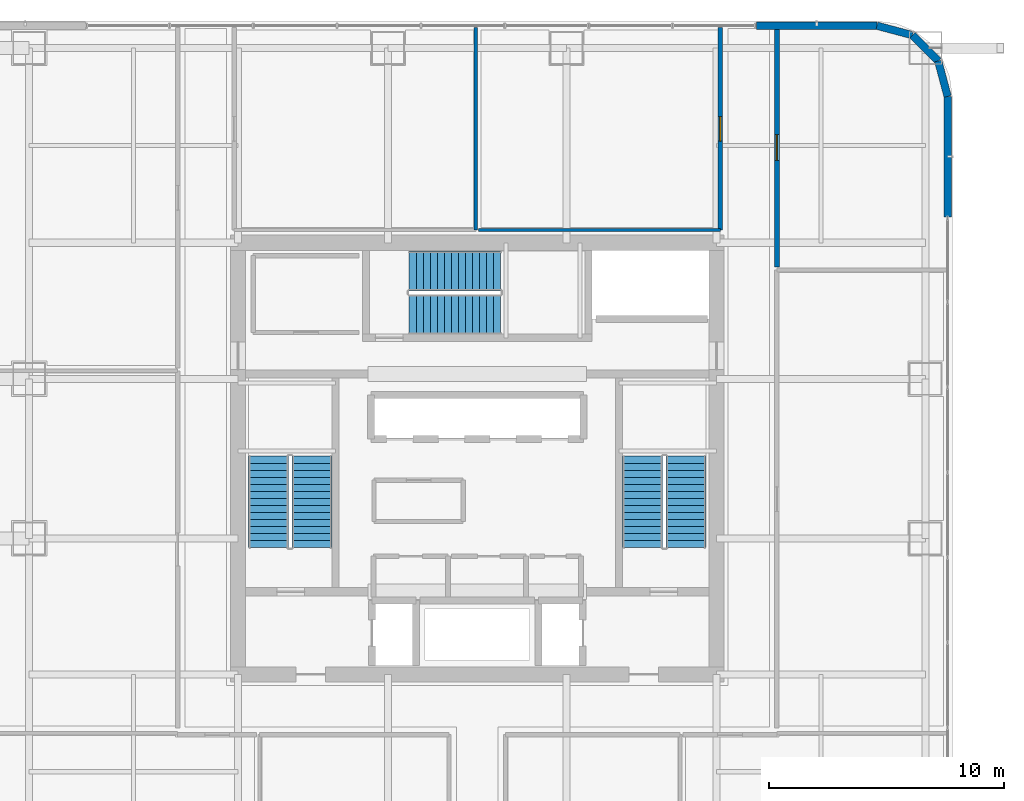
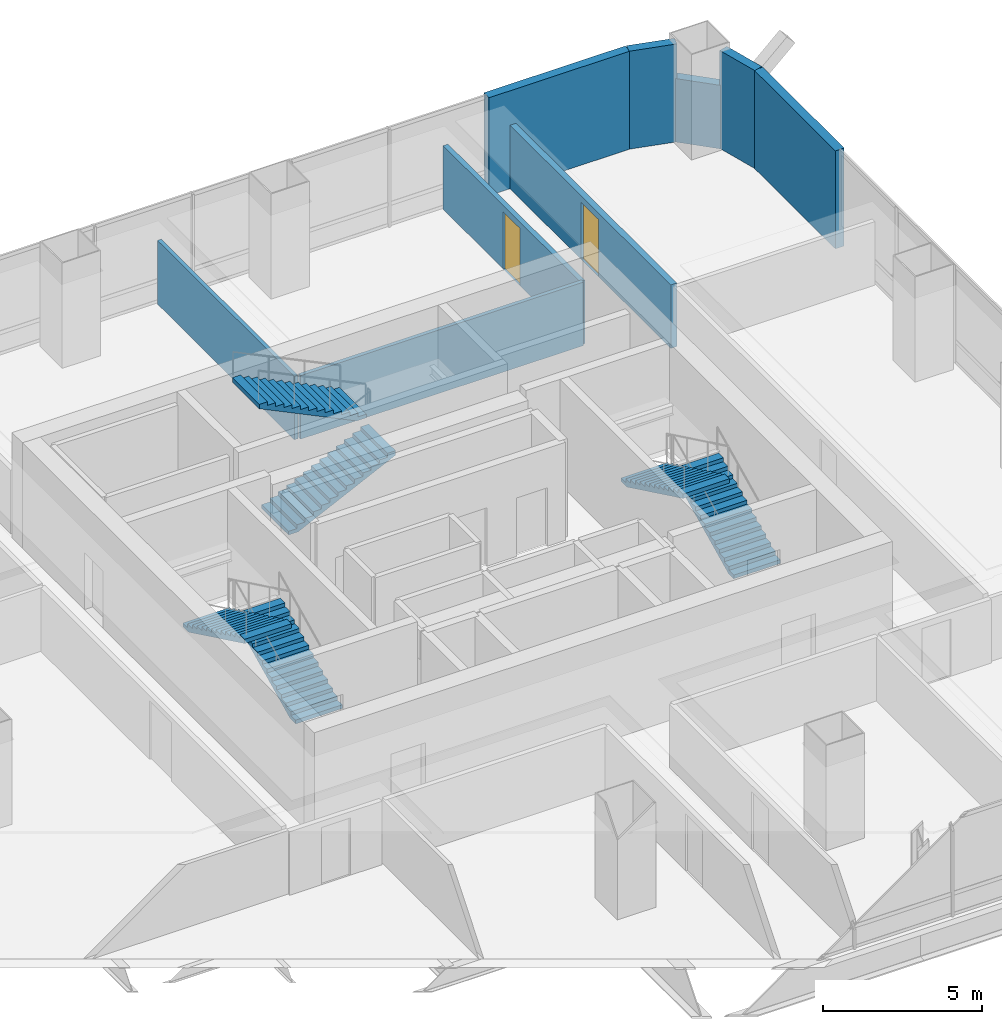
# One storey, part 34 of 46: 9 walls, 6 stair flights, 2 doors, 2 openings, 3 elements without a shape of their own.
"""IFC4 building model written with IfcOpenShell, lengths in metres."""

from ifc_helpers import new_model, si_unit, direction, frame, frame_2d, origin, place, context, subcontext, project, spatial, polyline, rectangle, outline, extrude, material, layer, layer_set, type_object, element, fill, aggregate, save


model = new_model("IFC4")

# Units and contexts
model_context = context("Model", 3, precision=1e-05, world=origin(), true_north=direction((0.0, 1.0)))
body_context = subcontext(model_context, "Body", "Model", "MODEL_VIEW")
ifc_project = project(units=[si_unit("LENGTHUNIT", "METRE"), si_unit("AREAUNIT", "SQUARE_METRE"), si_unit("VOLUMEUNIT", "CUBIC_METRE"), si_unit("PLANEANGLEUNIT", "RADIAN"), si_unit("MASSUNIT", "GRAM", prefix="KILO")], contexts=[model_context])

# Site, building, storey
site_placement = place(None, origin())
site = spatial("IfcSite", under=ifc_project, at=site_placement, CompositionType="ELEMENT")
building_placement = place(site_placement, origin())
building = spatial("IfcBuilding", under=site, at=building_placement, Name="Punatoya Terracotta Tower", CompositionType="ELEMENT")
storey_placement = place(building_placement, frame((0.0, 0.0, 200.550048828125)))
storey = spatial("IfcBuildingStorey", under=building, at=storey_placement, Name="L47", CompositionType="ELEMENT", Elevation=200.550048828125)

# Wall, opening, door
ifc_material_1 = material(Name="Gypsum Fireboard + Steel Stud", Category="steel")
ifc_layer_1 = layer(ifc_material_1, 0.179931640625)
ifc_layer_set_1 = layer_set([ifc_layer_1], Name="Gypsum Fireboard + Steel Stud")
wall_type_1 = type_object("IfcWallType", Name="WL-CORR-180", PredefinedType="PARTITIONING", material=ifc_layer_set_1)
wall_1_placement = place(storey_placement, frame((10.360107421875, 18.3701171875, 0.0), z_axis=(0.0, 0.0, 1.0), x_axis=(0.0, -1.0, 0.0)))
wall_1 = element("IfcWall", 1, at=wall_1_placement, inside=storey, type_object=wall_type_1, Name="L47 Open-Plan Urban Analytics Laboratory Partition 35", PredefinedType="PARTITIONING", context=body_context, shape_type="SweptSolid", body=[
    extrude(rectangle(XDim=8.630126953125, YDim=0.179931640625, at=frame_2d((4.31494140625, 0.0))), origin(), (0.0, 0.0, 1.0), 2.44384765625),
])
opening_1_placement = place(wall_1_placement, frame((3.7900390625, 0.0, 0.0)))
opening_1 = element("IfcOpeningElement", 2, at=opening_1_placement, cuts=wall_1, Name="Opening OD-01", PredefinedType="OPENING", context=body_context, shape_type="SweptSolid", body=[
    extrude(rectangle(XDim=1.050048828125, YDim=2.199951171875, at=frame_2d((0.52490234375, 1.10009765625))), frame((0.0, 0.099853515625, 0.0), z_axis=(0.0, -1.0, 0.0), x_axis=(1.0, 0.0, 0.0)), (0.0, 0.0, 1.0), 0.199951171875),
])
ifc_material_2 = material(Name="Bengal Teak Solid-Core Leaf")
door_type_1 = type_object("IfcDoorType", Name="DR-OFF-1050", OperationType="NOTDEFINED", PredefinedType="DOOR", material=ifc_material_2)
door_1_placement = place(opening_1_placement, origin())
door_1 = element("IfcDoor", 3, at=door_1_placement, inside=storey, type_object=door_type_1, Name="L47 Open-Plan Urban Analytics Laboratory Door", OperationType="SINGLE_SWING_LEFT", OverallHeight=2.199951171875, OverallWidth=1.050048828125, PredefinedType="DOOR", context=body_context, shape_type="SweptSolid", body=[
    extrude(rectangle(XDim=1.050048828125, YDim=2.199951171875, at=frame_2d((0.52490234375, 1.10009765625))), frame((0.0, 0.02490234375, 0.0), z_axis=(0.0, -1.0, 0.0), x_axis=(1.0, 0.0, 0.0)), (0.0, 0.0, 1.0), 0.050048828125),
])
fill(opening_1, door_1)

# Walls
ifc_material_3 = material(Name="Precast concrete C40/50", Category="concrete")
ifc_layer_2 = layer(ifc_material_3, 0.320068359375)
ifc_layer_set_2 = layer_set([ifc_layer_2], Name="Precast concrete C40/50")
wall_type_2 = type_object("IfcWallType", Name="WL-EXT-320", PredefinedType="SOLIDWALL", material=ifc_layer_set_2)
wall_2_placement = place(storey_placement, frame((20.050048828125, 10.300048828125, 0.0), z_axis=(0.0, 0.0, 1.0), x_axis=(0.0, 1.0, 0.0)))
element("IfcWall", 4, at=wall_2_placement, inside=storey, type_object=wall_type_2, Name="L47 Terracotta Braced Facade Wall E2", PredefinedType="SOLIDWALL", context=body_context, shape_type="SweptSolid", body=[
    extrude(rectangle(XDim=5.136962890625, YDim=0.320068359375, at=frame_2d((2.568359375, 0.0))), origin(), (0.0, 0.0, 1.0), 3.77001953125),
])
wall_3_placement = place(storey_placement, frame((20.050048828125, 15.43701171875, 0.0), z_axis=(0.0, 0.0, 1.0), x_axis=(-0.257847112249, 0.966185730957, 0.0)))
element("IfcWall", 5, at=wall_3_placement, inside=storey, type_object=wall_type_2, Name="L47 Rounded Terracotta Corner Pier 06", PredefinedType="SOLIDWALL", context=body_context, shape_type="SweptSolid", body=[
    extrude(rectangle(XDim=1.565185546875, YDim=0.320068359375, at=frame_2d((0.78271484375, 0.0))), origin(), (0.0, 0.0, 1.0), 3.77001953125),
])
wall_4_placement = place(storey_placement, frame((19.646484375, 16.94921875, 0.0), z_axis=(0.0, 0.0, 1.0), x_axis=(-0.707106781187, 0.707106781187, 0.0)))
element("IfcWall", 6, at=wall_4_placement, inside=storey, type_object=wall_type_2, Name="L47 Rounded Terracotta Corner Pier 07", PredefinedType="SOLIDWALL", context=body_context, shape_type="SweptSolid", body=[
    extrude(rectangle(XDim=1.552001953125, YDim=0.320068359375, at=frame_2d((0.77587890625, 0.0))), origin(), (0.0, 0.0, 1.0), 2.44384765625),
])
wall_5_placement = place(storey_placement, frame((18.549072265625, 18.046630859375, 0.0), z_axis=(0.0, 0.0, 1.0), x_axis=(-0.966224582397, 0.257701486942, 0.0)))
element("IfcWall", 7, at=wall_5_placement, inside=storey, type_object=wall_type_2, Name="L47 Rounded Terracotta Corner Pier 08", PredefinedType="SOLIDWALL", context=body_context, shape_type="SweptSolid", body=[
    extrude(rectangle(XDim=1.565185546875, YDim=0.320068359375, at=frame_2d((0.78271484375, 0.0))), origin(), (0.0, 0.0, 1.0), 3.77001953125),
])
wall_6_placement = place(storey_placement, frame((17.036865234375, 18.449951171875, 0.0), z_axis=(0.0, 0.0, 1.0), x_axis=(-1.0, 0.0, 0.0)))
element("IfcWall", 8, at=wall_6_placement, inside=storey, type_object=wall_type_2, Name="L47 Terracotta Braced Facade Wall N1", PredefinedType="SOLIDWALL", context=body_context, shape_type="SweptSolid", body=[
    extrude(rectangle(XDim=5.136962890625, YDim=0.320068359375, at=frame_2d((2.568359375, 0.0))), origin(), (0.0, 0.0, 1.0), 3.77001953125),
])

# Wall, opening, door
ifc_material_4 = material(Name="Concrete C40/50", Category="concrete")
ifc_layer_3 = layer(ifc_material_4, 0.219970703125)
ifc_layer_set_3 = layer_set([ifc_layer_3], Name="Concrete C40/50")
wall_type_3 = type_object("IfcWallType", Name="WL-FIR-220", PredefinedType="SOLIDWALL", material=ifc_layer_set_3)
wall_7_placement = place(storey_placement, frame((12.77001953125, 8.157958984375, 0.0), z_axis=(0.0, 0.0, 1.0), x_axis=(0.0, 1.0, 0.0)))
wall_7 = element("IfcWall", 9, at=wall_7_placement, inside=storey, type_object=wall_type_3, Name="L47 Open-Plan Geospatial Data Archive Partition 30", PredefinedType="SOLIDWALL", context=body_context, shape_type="SweptSolid", body=[
    extrude(rectangle(XDim=10.212158203125, YDim=0.219970703125, at=frame_2d((5.10595703125, 0.0))), origin(), (0.0, 0.0, 1.0), 2.44384765625),
])
opening_2_placement = place(wall_7_placement, frame((4.555908203125, 0.0, 0.0)))
opening_2 = element("IfcOpeningElement", 10, at=opening_2_placement, cuts=wall_7, Name="Opening FD-P1", PredefinedType="OPENING", context=body_context, shape_type="SweptSolid", body=[
    extrude(rectangle(XDim=1.10009765625, YDim=2.199951171875, at=frame_2d((0.550048828125, 1.10009765625))), frame((0.0, 0.119873046875, 0.0), z_axis=(0.0, -1.0, 0.0), x_axis=(1.0, 0.0, 0.0)), (0.0, 0.0, 1.0), 0.239990234375),
])
ifc_material_5 = material(Name="Galvanised Steel Plant Fire Door", Category="steel")
door_type_2 = type_object("IfcDoorType", Name="DR-PLT-1100", OperationType="NOTDEFINED", PredefinedType="DOOR", material=ifc_material_5)
door_2_placement = place(opening_2_placement, origin())
door_2 = element("IfcDoor", 11, at=door_2_placement, inside=storey, type_object=door_type_2, Name="L47 Open-Plan Geospatial Data Archive Fire Door", OperationType="SINGLE_SWING_LEFT", OverallHeight=2.199951171875, OverallWidth=1.10009765625, PredefinedType="DOOR", context=body_context, shape_type="SweptSolid", body=[
    extrude(rectangle(XDim=1.10009765625, YDim=2.199951171875, at=frame_2d((0.550048828125, 1.10009765625))), frame((0.0, 0.02490234375, 0.0), z_axis=(0.0, -1.0, 0.0), x_axis=(1.0, 0.0, 0.0)), (0.0, 0.0, 1.0), 0.050048828125),
])
fill(opening_2, door_2)

# Walls
ifc_material_6 = material(Name="Acoustic Gypsum + Steel Stud", Category="steel")
ifc_layer_4 = layer(ifc_material_6, 0.139892578125)
ifc_layer_set_4 = layer_set([ifc_layer_4], Name="Acoustic Gypsum + Steel Stud")
wall_type_4 = type_object("IfcWallType", Name="WL-OFF-140", PredefinedType="PARTITIONING", material=ifc_layer_set_4)
wall_8_placement = place(storey_placement, frame((-0.06005859375, 18.3701171875, 0.0), z_axis=(0.0, 0.0, 1.0), x_axis=(0.0, -1.0, 0.0)))
element("IfcWall", 12, at=wall_8_placement, inside=storey, type_object=wall_type_4, Name="L47 Open-Plan Hydrology Modelling Laboratory Partition 31", PredefinedType="PARTITIONING", context=body_context, shape_type="SweptSolid", body=[
    extrude(rectangle(XDim=8.630126953125, YDim=0.139892578125, at=frame_2d((4.31494140625, 0.0))), origin(), (0.0, 0.0, 1.0), 2.44384765625),
])
wall_9_placement = place(storey_placement, frame((10.360107421875, 9.739990234375, 0.0), z_axis=(0.0, 0.0, 1.0), x_axis=(-1.0, 0.0, 0.0)))
element("IfcWall", 13, at=wall_9_placement, inside=storey, type_object=wall_type_4, Name="L47 Open-Plan Urban Analytics Laboratory Partition 34", PredefinedType="PARTITIONING", context=body_context, shape_type="SweptSolid", body=[
    extrude(rectangle(XDim=10.300048828125, YDim=0.139892578125, at=frame_2d((5.14990234375, 0.0))), origin(), (0.0, 0.0, 1.0), 2.44384765625),
])

# Stair, stair flights
stair_type_1 = type_object("IfcStairType", Name="STR-CORE-1550", PredefinedType="HALF_TURN_STAIR", material=ifc_material_4)
stair_1_placement = place(storey_placement, origin())
stair_1 = element("IfcStair", 14, at=stair_1_placement, inside=storey, type_object=stair_type_1, Name="L47 Protected Core Exit Stair ST-1", PredefinedType="HALF_TURN_STAIR")
stair_flight_type_1 = type_object("IfcStairFlightType", Name="SFL-CORE-1550", PredefinedType="STRAIGHT", material=ifc_material_4)
stair_flight_1_placement = place(storey_placement, frame((-7.050048828125, -3.800048828125, 0.0), z_axis=(0.0, 0.0, 1.0), x_axis=(0.0, 1.0, 0.0)))
stair_flight_1 = element("IfcStairFlight", 15, at=stair_flight_1_placement, type_object=stair_flight_type_1, Name="ST-1 flight 1", NumberOfRisers=14, NumberOfTreads=13, PredefinedType="STRAIGHT", RiserHeight=0.144642857, TreadLength=0.3, context=body_context, shape_type="SweptSolid", body=[
    extrude(outline(polyline([(0.0, 0.0), (0.0, 0.14453125), (0.300048828125, 0.14453125), (0.300048828125, 0.289306640625), (0.60009765625, 0.289306640625), (0.60009765625, 0.433837890625), (0.89990234375, 0.433837890625), (0.89990234375, 0.57861328125), (1.199951171875, 0.57861328125), (1.199951171875, 0.72314453125), (1.5, 0.72314453125), (1.5, 0.867919921875), (1.800048828125, 0.867919921875), (1.800048828125, 1.012451171875), (2.10009765625, 1.012451171875), (2.10009765625, 1.1572265625), (2.39990234375, 1.1572265625), (2.39990234375, 1.3017578125), (2.699951171875, 1.3017578125), (2.699951171875, 1.446533203125), (3.0, 1.446533203125), (3.0, 1.591064453125), (3.300048828125, 1.591064453125), (3.300048828125, 1.735595703125), (3.60009765625, 1.735595703125), (3.60009765625, 1.88037109375), (3.89990234375, 1.88037109375), (3.89990234375, 2.02490234375), (3.89990234375, 1.7138671875), (0.34521484375, 0.0), (0.0, 0.0)])), frame((0.0, 0.85009765625, 0.0), z_axis=(0.0, -1.0, 0.0), x_axis=(1.0, 0.0, 0.0)), (0.0, 0.0, 1.0), 1.699951171875),
])
stair_flight_2_placement = place(storey_placement, frame((-8.89990234375, 0.10009765625, 2.02490234375), z_axis=(0.0, 0.0, 1.0), x_axis=(0.0, -1.0, 0.0)))
stair_flight_2 = element("IfcStairFlight", 16, at=stair_flight_2_placement, type_object=stair_flight_type_1, Name="ST-1 flight 2", NumberOfRisers=14, NumberOfTreads=13, PredefinedType="STRAIGHT", RiserHeight=0.144642857, TreadLength=0.3, context=body_context, shape_type="SweptSolid", body=[
    extrude(outline(polyline([(0.0, 0.0), (0.0, 0.14453125), (0.300048828125, 0.14453125), (0.300048828125, 0.289306640625), (0.60009765625, 0.289306640625), (0.60009765625, 0.433837890625), (0.89990234375, 0.433837890625), (0.89990234375, 0.57861328125), (1.199951171875, 0.57861328125), (1.199951171875, 0.72314453125), (1.5, 0.72314453125), (1.5, 0.867919921875), (1.800048828125, 0.867919921875), (1.800048828125, 1.012451171875), (2.10009765625, 1.012451171875), (2.10009765625, 1.1572265625), (2.39990234375, 1.1572265625), (2.39990234375, 1.3017578125), (2.699951171875, 1.3017578125), (2.699951171875, 1.446533203125), (3.0, 1.446533203125), (3.0, 1.591064453125), (3.300048828125, 1.591064453125), (3.300048828125, 1.735595703125), (3.60009765625, 1.735595703125), (3.60009765625, 1.88037109375), (3.89990234375, 1.88037109375), (3.89990234375, 2.02490234375), (3.89990234375, 1.7138671875), (0.34521484375, 0.0), (0.0, 0.0)])), frame((0.0, 0.85009765625, 0.0), z_axis=(0.0, -1.0, 0.0), x_axis=(1.0, 0.0, 0.0)), (0.0, 0.0, 1.0), 1.699951171875),
])
aggregate(stair_1, [stair_flight_1, stair_flight_2])

stair_type_2 = type_object("IfcStairType", Name="STR-LOB-1650", PredefinedType="HALF_TURN_STAIR", material=ifc_material_4)
stair_2_placement = place(storey_placement, origin())
stair_2 = element("IfcStair", 17, at=stair_2_placement, inside=storey, type_object=stair_type_2, Name="L47 Protected Core Exit Stair ST-2", PredefinedType="HALF_TURN_STAIR")
stair_flight_type_2 = type_object("IfcStairFlightType", Name="SFL-LOB-1650", PredefinedType="STRAIGHT", material=ifc_material_4)
stair_flight_3_placement = place(storey_placement, frame((8.89990234375, -3.800048828125, 0.0), z_axis=(0.0, 0.0, 1.0), x_axis=(0.0, 1.0, 0.0)))
stair_flight_3 = element("IfcStairFlight", 18, at=stair_flight_3_placement, type_object=stair_flight_type_2, Name="ST-2 flight 1", NumberOfRisers=14, NumberOfTreads=13, PredefinedType="STRAIGHT", RiserHeight=0.144642857, TreadLength=0.3, context=body_context, shape_type="SweptSolid", body=[
    extrude(outline(polyline([(0.0, 0.0), (0.0, 0.14453125), (0.300048828125, 0.14453125), (0.300048828125, 0.289306640625), (0.60009765625, 0.289306640625), (0.60009765625, 0.433837890625), (0.89990234375, 0.433837890625), (0.89990234375, 0.57861328125), (1.199951171875, 0.57861328125), (1.199951171875, 0.72314453125), (1.5, 0.72314453125), (1.5, 0.867919921875), (1.800048828125, 0.867919921875), (1.800048828125, 1.012451171875), (2.10009765625, 1.012451171875), (2.10009765625, 1.1572265625), (2.39990234375, 1.1572265625), (2.39990234375, 1.3017578125), (2.699951171875, 1.3017578125), (2.699951171875, 1.446533203125), (3.0, 1.446533203125), (3.0, 1.591064453125), (3.300048828125, 1.591064453125), (3.300048828125, 1.735595703125), (3.60009765625, 1.735595703125), (3.60009765625, 1.88037109375), (3.89990234375, 1.88037109375), (3.89990234375, 2.02490234375), (3.89990234375, 1.7138671875), (0.34521484375, 0.0), (0.0, 0.0)])), frame((0.0, 0.85009765625, 0.0), z_axis=(0.0, -1.0, 0.0), x_axis=(1.0, 0.0, 0.0)), (0.0, 0.0, 1.0), 1.699951171875),
])
stair_flight_4_placement = place(storey_placement, frame((7.050048828125, 0.10009765625, 2.02490234375), z_axis=(0.0, 0.0, 1.0), x_axis=(0.0, -1.0, 0.0)))
stair_flight_4 = element("IfcStairFlight", 19, at=stair_flight_4_placement, type_object=stair_flight_type_2, Name="ST-2 flight 2", NumberOfRisers=14, NumberOfTreads=13, PredefinedType="STRAIGHT", RiserHeight=0.144642857, TreadLength=0.3, context=body_context, shape_type="SweptSolid", body=[
    extrude(outline(polyline([(0.0, 0.0), (0.0, 0.14453125), (0.300048828125, 0.14453125), (0.300048828125, 0.289306640625), (0.60009765625, 0.289306640625), (0.60009765625, 0.433837890625), (0.89990234375, 0.433837890625), (0.89990234375, 0.57861328125), (1.199951171875, 0.57861328125), (1.199951171875, 0.72314453125), (1.5, 0.72314453125), (1.5, 0.867919921875), (1.800048828125, 0.867919921875), (1.800048828125, 1.012451171875), (2.10009765625, 1.012451171875), (2.10009765625, 1.1572265625), (2.39990234375, 1.1572265625), (2.39990234375, 1.3017578125), (2.699951171875, 1.3017578125), (2.699951171875, 1.446533203125), (3.0, 1.446533203125), (3.0, 1.591064453125), (3.300048828125, 1.591064453125), (3.300048828125, 1.735595703125), (3.60009765625, 1.735595703125), (3.60009765625, 1.88037109375), (3.89990234375, 1.88037109375), (3.89990234375, 2.02490234375), (3.89990234375, 1.7138671875), (0.34521484375, 0.0), (0.0, 0.0)])), frame((0.0, 0.85009765625, 0.0), z_axis=(0.0, -1.0, 0.0), x_axis=(1.0, 0.0, 0.0)), (0.0, 0.0, 1.0), 1.699951171875),
])
aggregate(stair_2, [stair_flight_3, stair_flight_4])

stair_type_3 = type_object("IfcStairType", Name="STR-TER-1450", PredefinedType="HALF_TURN_STAIR", material=ifc_material_4)
stair_3_placement = place(storey_placement, origin())
stair_3 = element("IfcStair", 20, at=stair_3_placement, inside=storey, type_object=stair_type_3, Name="L47 Protected Core Exit Stair ST-3", PredefinedType="HALF_TURN_STAIR")
stair_flight_type_3 = type_object("IfcStairFlightType", Name="SFL-TER-1450", PredefinedType="STRAIGHT", material=ifc_material_4)
stair_flight_5_placement = place(storey_placement, frame((-2.89990234375, 6.14990234375, 0.0), z_axis=(0.0, 0.0, 1.0), x_axis=(1.0, 0.0, 0.0)))
stair_flight_5 = element("IfcStairFlight", 21, at=stair_flight_5_placement, type_object=stair_flight_type_3, Name="ST-3 flight 1", NumberOfRisers=14, NumberOfTreads=13, PredefinedType="STRAIGHT", RiserHeight=0.144642857, TreadLength=0.3, context=body_context, shape_type="SweptSolid", body=[
    extrude(outline(polyline([(0.0, 0.0), (0.0, 0.14453125), (0.300048828125, 0.14453125), (0.300048828125, 0.289306640625), (0.60009765625, 0.289306640625), (0.60009765625, 0.433837890625), (0.89990234375, 0.433837890625), (0.89990234375, 0.57861328125), (1.199951171875, 0.57861328125), (1.199951171875, 0.72314453125), (1.5, 0.72314453125), (1.5, 0.867919921875), (1.800048828125, 0.867919921875), (1.800048828125, 1.012451171875), (2.10009765625, 1.012451171875), (2.10009765625, 1.1572265625), (2.39990234375, 1.1572265625), (2.39990234375, 1.3017578125), (2.699951171875, 1.3017578125), (2.699951171875, 1.446533203125), (3.0, 1.446533203125), (3.0, 1.591064453125), (3.300048828125, 1.591064453125), (3.300048828125, 1.735595703125), (3.60009765625, 1.735595703125), (3.60009765625, 1.88037109375), (3.89990234375, 1.88037109375), (3.89990234375, 2.02490234375), (3.89990234375, 1.7138671875), (0.34521484375, 0.0), (0.0, 0.0)])), frame((0.0, 0.85009765625, 0.0), z_axis=(0.0, -1.0, 0.0), x_axis=(1.0, 0.0, 0.0)), (0.0, 0.0, 1.0), 1.699951171875),
])
stair_flight_6_placement = place(storey_placement, frame((1.0, 8.0, 2.02490234375), z_axis=(0.0, 0.0, 1.0), x_axis=(-1.0, 0.0, 0.0)))
stair_flight_6 = element("IfcStairFlight", 22, at=stair_flight_6_placement, type_object=stair_flight_type_3, Name="ST-3 flight 2", NumberOfRisers=14, NumberOfTreads=13, PredefinedType="STRAIGHT", RiserHeight=0.144642857, TreadLength=0.3, context=body_context, shape_type="SweptSolid", body=[
    extrude(outline(polyline([(0.0, 0.0), (0.0, 0.14453125), (0.300048828125, 0.14453125), (0.300048828125, 0.289306640625), (0.60009765625, 0.289306640625), (0.60009765625, 0.433837890625), (0.89990234375, 0.433837890625), (0.89990234375, 0.57861328125), (1.199951171875, 0.57861328125), (1.199951171875, 0.72314453125), (1.5, 0.72314453125), (1.5, 0.867919921875), (1.800048828125, 0.867919921875), (1.800048828125, 1.012451171875), (2.10009765625, 1.012451171875), (2.10009765625, 1.1572265625), (2.39990234375, 1.1572265625), (2.39990234375, 1.3017578125), (2.699951171875, 1.3017578125), (2.699951171875, 1.446533203125), (3.0, 1.446533203125), (3.0, 1.591064453125), (3.300048828125, 1.591064453125), (3.300048828125, 1.735595703125), (3.60009765625, 1.735595703125), (3.60009765625, 1.88037109375), (3.89990234375, 1.88037109375), (3.89990234375, 2.02490234375), (3.89990234375, 1.7138671875), (0.34521484375, 0.0), (0.0, 0.0)])), frame((0.0, 0.85009765625, 0.0), z_axis=(0.0, -1.0, 0.0), x_axis=(1.0, 0.0, 0.0)), (0.0, 0.0, 1.0), 1.699951171875),
])
aggregate(stair_3, [stair_flight_5, stair_flight_6])

save(model, "model.ifc")
